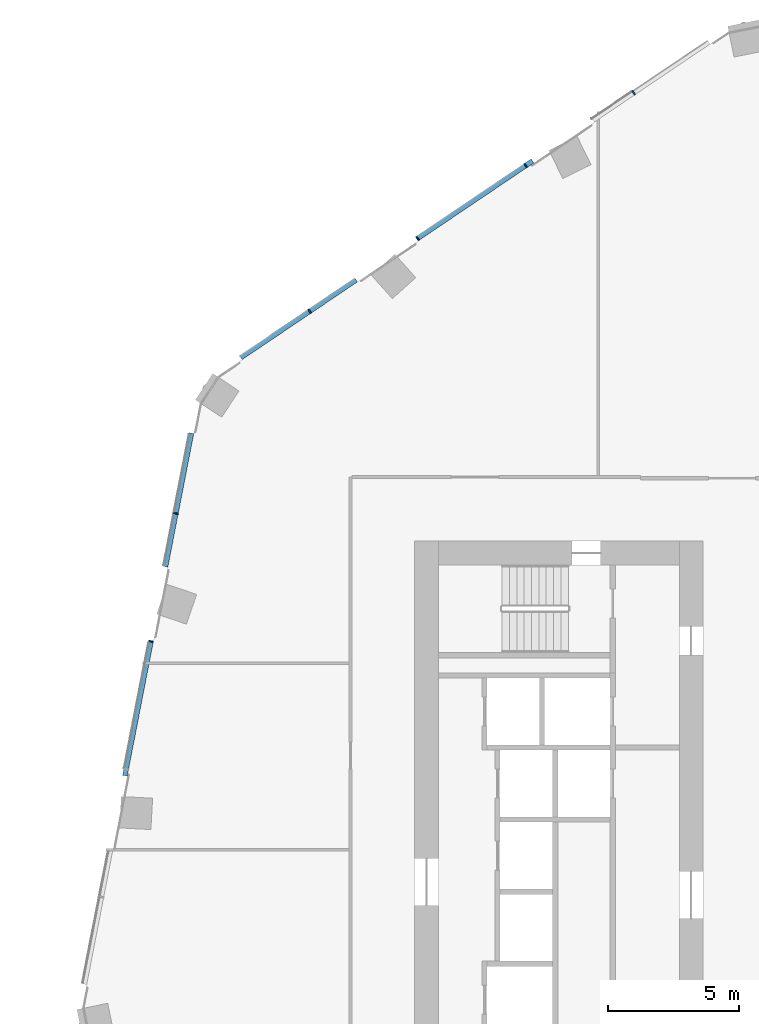
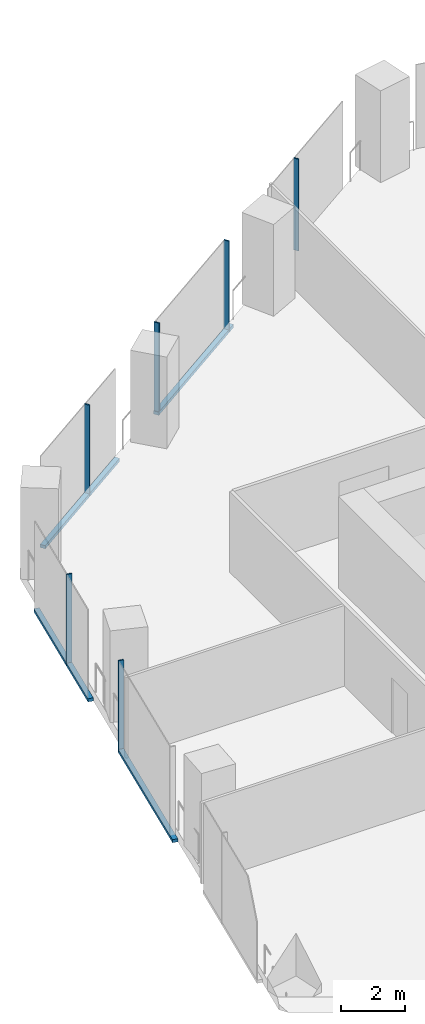
# One storey, part 9 of 34: 10 members, 2 elements without a shape of their own.
"""IFC4 building model written with IfcOpenShell, lengths in metres."""

from ifc_helpers import new_model, si_unit, direction, frame, origin, origin_2d, place, context, subcontext, project, spatial, rectangle, extrude, material, material_profile, profile_set, type_object, element, aggregate, save


model = new_model("IFC4")

# Units and contexts
model_context = context("Model", 3, precision=1e-05, world=origin(), true_north=direction((0.0, 1.0)))
body_context = subcontext(model_context, "Body", "Model", "MODEL_VIEW")
ifc_project = project(units=[si_unit("LENGTHUNIT", "METRE"), si_unit("AREAUNIT", "SQUARE_METRE"), si_unit("VOLUMEUNIT", "CUBIC_METRE"), si_unit("PLANEANGLEUNIT", "RADIAN"), si_unit("MASSUNIT", "GRAM", prefix="KILO")], contexts=[model_context])

# Site, building, storey
site_placement = place(None, origin())
site = spatial("IfcSite", under=ifc_project, at=site_placement, CompositionType="ELEMENT")
building_placement = place(site_placement, origin())
building = spatial("IfcBuilding", under=site, at=building_placement, Name="Orlundy Tower", CompositionType="ELEMENT")
storey_placement = place(building_placement, frame((0.0, 0.0, 145.60009765625)))
storey = spatial("IfcBuildingStorey", under=building, at=storey_placement, Name="L37", CompositionType="ELEMENT", Elevation=145.60009765625)

# Curtain wall, members
ifc_material_1 = material(Name="Aluminium bronze anodised", Category="aluminium")
curtain_wall_type = type_object("IfcCurtainWallType", Name="CW1 wall", PredefinedType="NOTDEFINED", material=ifc_material_1)
curtain_wall_1_placement = place(storey_placement, origin())
curtain_wall_1 = element("IfcCurtainWall", 1, at=curtain_wall_1_placement, inside=storey, type_object=curtain_wall_type, Name="CW1 run 014", PredefinedType="NOTDEFINED")
ifc_material_2 = material(Name="Aluminium bronze anodised", Category="aluminium")
ifc_material_profile_1 = material_profile(ifc_material_2, rectangle(XDim=0.179931640625, YDim=0.050048828125, at=origin_2d()), Name="CW1 mullion 50x180")
ifc_profile_set_1 = profile_set([ifc_material_profile_1], Name="Aluminium bronze anodised")
member_type_1 = type_object("IfcMemberType", Name="CW1 mullion 50x180", PredefinedType="MULLION", material=ifc_profile_set_1)
member_1_placement = place(storey_placement, frame((-29.063232421875, 8.1806640625, -0.400146484375), z_axis=(0.0, 0.0, 1.0), x_axis=(-0.981627952333, 0.19080503976, 0.0)))
member_1 = element("IfcMember", 2, at=member_1_placement, type_object=member_type_1, Name="CW1 mullion 37", PredefinedType="MULLION", context=body_context, shape_type="SweptSolid", body=[
    extrude(rectangle(XDim=0.179931640625, YDim=0.050048828125, at=origin_2d()), origin(), (0.0, 0.0, 1.0), 3.5),
])
member_2_placement = place(storey_placement, frame((-28.11474609375, 13.06005859375, -0.400146484375), z_axis=(0.0, 0.0, 1.0), x_axis=(-0.981627952333, 0.19080503976, 0.0)))
member_2 = element("IfcMember", 3, at=member_2_placement, type_object=member_type_1, Name="CW1 mullion 38", PredefinedType="MULLION", context=body_context, shape_type="SweptSolid", body=[
    extrude(rectangle(XDim=0.179931640625, YDim=0.050048828125, at=origin_2d()), origin(), (0.0, 0.0, 1.0), 3.5),
])

curtain_wall_2_placement = place(storey_placement, origin())
curtain_wall_2 = element("IfcCurtainWall", 4, at=curtain_wall_2_placement, inside=storey, type_object=curtain_wall_type, Name="CW1 run 015", PredefinedType="NOTDEFINED")
member_3_placement = place(storey_placement, frame((-23.007568359375, 20.776123046875, -0.400146484375), z_axis=(0.0, 0.0, 1.0), x_axis=(-0.559204698608, 0.829029616512, 0.0)))
member_3 = element("IfcMember", 5, at=member_3_placement, type_object=member_type_1, Name="CW1 mullion 40", PredefinedType="MULLION", context=body_context, shape_type="SweptSolid", body=[
    extrude(rectangle(XDim=0.179931640625, YDim=0.050048828125, at=origin_2d()), origin(), (0.0, 0.0, 1.0), 3.5),
])
member_4_placement = place(storey_placement, frame((-18.88671875, 23.555908203125, -0.400146484375), z_axis=(0.0, 0.0, 1.0), x_axis=(-0.559204698608, 0.829029616512, 0.0)))
member_4 = element("IfcMember", 6, at=member_4_placement, type_object=member_type_1, Name="CW1 mullion 41", PredefinedType="MULLION", context=body_context, shape_type="SweptSolid", body=[
    extrude(rectangle(XDim=0.179931640625, YDim=0.050048828125, at=origin_2d()), origin(), (0.0, 0.0, 1.0), 3.5),
])
member_5_placement = place(storey_placement, frame((-14.765869140625, 26.33544921875, -0.400146484375), z_axis=(0.0, 0.0, 1.0), x_axis=(-0.559204698608, 0.829029616512, 0.0)))
member_5 = element("IfcMember", 7, at=member_5_placement, type_object=member_type_1, Name="CW1 mullion 42", PredefinedType="MULLION", context=body_context, shape_type="SweptSolid", body=[
    extrude(rectangle(XDim=0.179931640625, YDim=0.050048828125, at=origin_2d()), origin(), (0.0, 0.0, 1.0), 3.5),
])
member_6_placement = place(storey_placement, frame((-10.64501953125, 29.114990234375, -0.400146484375), z_axis=(0.0, 0.0, 1.0), x_axis=(-0.559204698608, 0.829029616512, 0.0)))
member_6 = element("IfcMember", 8, at=member_6_placement, type_object=member_type_1, Name="CW1 mullion 43", PredefinedType="MULLION", context=body_context, shape_type="SweptSolid", body=[
    extrude(rectangle(XDim=0.179931640625, YDim=0.050048828125, at=origin_2d()), origin(), (0.0, 0.0, 1.0), 3.5),
])

# Member
ifc_material_3 = material(Name="Aluminium bronze anodised", Category="aluminium")
ifc_material_profile_2 = material_profile(ifc_material_3, rectangle(XDim=0.179931640625, YDim=0.1201171875, at=origin_2d()), Name="CW1 transom 180x120")
ifc_profile_set_2 = profile_set([ifc_material_profile_2], Name="Aluminium bronze anodised")
member_type_2 = type_object("IfcMemberType", Name="CW1 transom 180x120", PredefinedType="USERDEFINED", material=ifc_profile_set_2)
member_7_placement = place(storey_placement, frame((-30.06005859375, 3.051513671875, -0.340087890625), z_axis=(0.190798190056, 0.981629283728, 0.0), x_axis=(-0.981629283728, 0.190798190056, 0.0)))
member_7 = element("IfcMember", 9, at=member_7_placement, type_object=member_type_2, Name="CW1 transom", ObjectType="TRANSOM", PredefinedType="USERDEFINED", context=body_context, shape_type="SweptSolid", body=[
    extrude(rectangle(XDim=0.179931640625, YDim=0.1201171875, at=origin_2d()), origin(), (0.0, 0.0, 1.0), 5.211669921875),
])

member_8_placement = place(storey_placement, frame((-28.51123046875, 11.020751953125, -0.340087890625), z_axis=(0.19083822941, 0.981621500476, 0.0), x_axis=(-0.981621500476, 0.19083822941, 0.0)))
member_8 = element("IfcMember", 10, at=member_8_placement, type_object=member_type_2, Name="CW1 transom", ObjectType="TRANSOM", PredefinedType="USERDEFINED", context=body_context, shape_type="SweptSolid", body=[
    extrude(rectangle(XDim=0.179931640625, YDim=0.1201171875, at=origin_2d()), origin(), (0.0, 0.0, 1.0), 5.19775390625),
])

aggregate(curtain_wall_1, [member_1, member_2, member_7, member_8])

member_9_placement = place(storey_placement, frame((-25.63330078125, 19.0048828125, -0.340087890625), z_axis=(0.829016591666, 0.55922400766, 0.0), x_axis=(-0.55922400766, 0.829016591666, 0.0)))
member_9 = element("IfcMember", 11, at=member_9_placement, type_object=member_type_2, Name="CW1 transom", ObjectType="TRANSOM", PredefinedType="USERDEFINED", context=body_context, shape_type="SweptSolid", body=[
    extrude(rectangle(XDim=0.179931640625, YDim=0.1201171875, at=origin_2d()), origin(), (0.0, 0.0, 1.0), 5.308349609375),
])

member_10_placement = place(storey_placement, frame((-18.924072265625, 23.530517578125, -0.340087890625), z_axis=(0.829017357974, 0.559222871651, 0.0), x_axis=(-0.559222871651, 0.829017357974, 0.0)))
member_10 = element("IfcMember", 12, at=member_10_placement, type_object=member_type_2, Name="CW1 transom", ObjectType="TRANSOM", PredefinedType="USERDEFINED", context=body_context, shape_type="SweptSolid", body=[
    extrude(rectangle(XDim=0.179931640625, YDim=0.1201171875, at=origin_2d()), origin(), (0.0, 0.0, 1.0), 5.33447265625),
])

aggregate(curtain_wall_2, [member_3, member_4, member_5, member_6, member_9, member_10])

save(model, "model.ifc")
